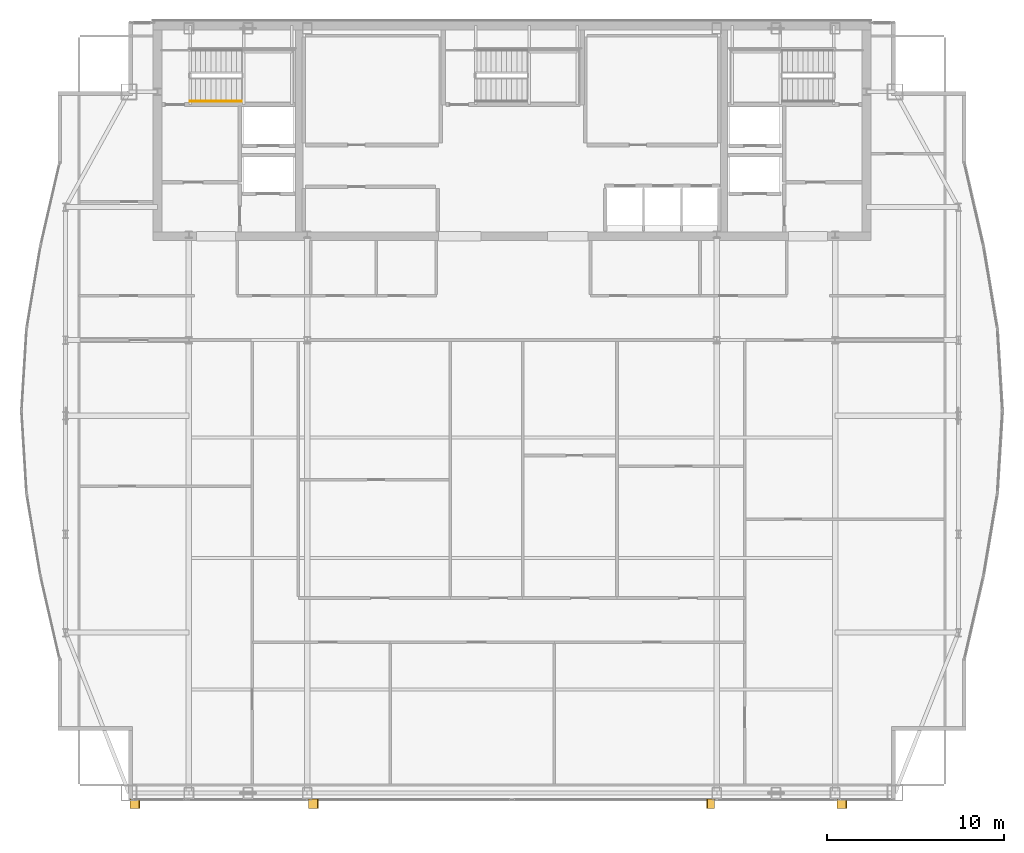
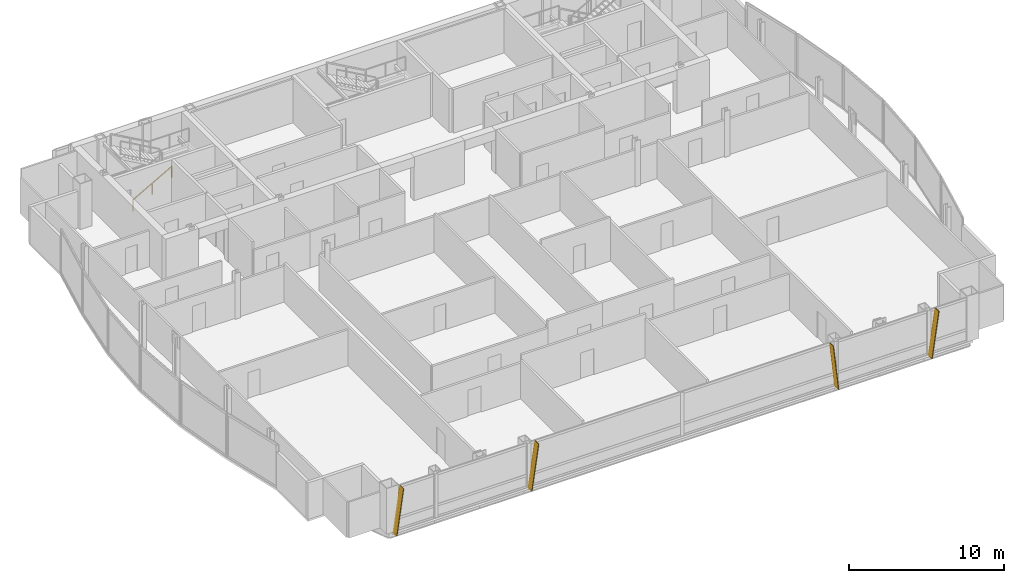
# One storey, part 28 of 29: 4 shading devices, 1 railing.
"""IFC4 building model written with IfcOpenShell, lengths in metres."""

import ifcopenshell
import ifcopenshell.guid

model = None  # the IFC model being written
_history = None  # IfcOwnerHistory: only IFC2X3 demands one
_inside = {}  # id of a spatial element -> (the spatial element, [elements in it])
_under = {}  # id of a project, library or spatial element -> (it, [spatial elements below it])
_declared = {}  # id of a project -> (the project, [libraries it declares])
_typed = {}  # id of a type object -> (the type object, [elements of that type])
_made_of = {}  # id of a material, layer set ... -> (it, [elements and type objects made of it])


def new_model(schema):
    """Start an empty IFC model of exactly this schema.

    Asked for "IFC4X3", IfcOpenShell would pick the latest addendum, in which some entities
    have other attributes; the version numbers below select the first issue.
    IFC2X3 requires an IfcOwnerHistory on every rooted entity: one is made here for all.
    """
    global model, _history
    if schema == "IFC4X3":
        model = ifcopenshell.file(schema_version=(4, 3, 0, 0))
    else:
        model = ifcopenshell.file(schema=schema)
    _inside.clear()
    _under.clear()
    _declared.clear()
    _typed.clear()
    _made_of.clear()
    _history = None
    if model.schema == "IFC2X3":
        org = make("IfcOrganization", Name="unknown")
        user = make(
            "IfcPersonAndOrganization",
            ThePerson=make("IfcPerson", FamilyName="unknown"),
            TheOrganization=org,
        )
        app = make(
            "IfcApplication",
            ApplicationDeveloper=org,
            Version="unknown",
            ApplicationFullName="unknown",
            ApplicationIdentifier="unknown",
        )
        _history = make(
            "IfcOwnerHistory",
            OwningUser=user,
            OwningApplication=app,
            ChangeAction="ADDED",
            CreationDate=0,
        )
    return model


def make(cls, **values):
    """One entity of the class cls with the attributes given. An attribute that is None is left unset."""
    return model.create_entity(
        cls, **{name: value for name, value in values.items() if value is not None}
    )


def rooted(cls, **values):
    """An entity with a GlobalId (a new one), such as an element, a storey or a relation."""
    return make(cls, GlobalId=ifcopenshell.guid.new(), OwnerHistory=_history, **values)


def si_unit(unit_type, name, prefix=None):
    """IfcSIUnit, for example si_unit("LENGTHUNIT", "METRE", prefix="MILLI")."""
    return make("IfcSIUnit", UnitType=unit_type, Prefix=prefix, Name=name)


def assignment(units):
    """IfcUnitAssignment: the units of a project."""
    return None if units is None else make("IfcUnitAssignment", Units=units)


def point(xyz):
    """IfcCartesianPoint."""
    return None if xyz is None else make("IfcCartesianPoint", Coordinates=xyz)


def direction(xyz):
    """IfcDirection."""
    return None if xyz is None else make("IfcDirection", DirectionRatios=xyz)


def frame(location, z_axis=None, x_axis=None):
    """IfcAxis2Placement3D, a coordinate frame: its origin and axes. An axis left out is left unset."""
    return make(
        "IfcAxis2Placement3D",
        Location=point(location),
        Axis=direction(z_axis),
        RefDirection=direction(x_axis),
    )


def frame_2d(location, x_axis=None):
    """IfcAxis2Placement2D, a coordinate frame in the plane: its origin and x axis."""
    return make(
        "IfcAxis2Placement2D", Location=point(location), RefDirection=direction(x_axis)
    )


def origin():
    """The frame at (0, 0, 0) with its axes left unset."""
    return frame((0.0, 0.0, 0.0))


def origin_2d():
    """The frame at (0, 0) in the plane with its x axis left unset."""
    return frame_2d((0.0, 0.0))


def place(relative_to, where):
    """IfcLocalPlacement: puts the frame where relative to a parent placement (None: the world)."""
    return make(
        "IfcLocalPlacement", PlacementRelTo=relative_to, RelativePlacement=where
    )


def context(
    kind, dimensions, precision=None, world=None, true_north=None, identifier=None
):
    """IfcGeometricRepresentationContext, for example the 3D "Model" context."""
    return make(
        "IfcGeometricRepresentationContext",
        ContextIdentifier=identifier,
        ContextType=kind,
        CoordinateSpaceDimension=dimensions,
        Precision=precision,
        WorldCoordinateSystem=world,
        TrueNorth=true_north,
    )


def subcontext(parent, identifier, kind, view, scale=None):
    """IfcGeometricRepresentationSubContext, for example "Body" below "Model"."""
    return make(
        "IfcGeometricRepresentationSubContext",
        ContextIdentifier=identifier,
        ContextType=kind,
        ParentContext=parent,
        TargetScale=scale,
        TargetView=view,
    )


def project(units=None, contexts=None):
    """IfcProject with its units and contexts."""
    return rooted(
        "IfcProject",
        Name="project",
        RepresentationContexts=contexts,
        UnitsInContext=assignment(units),
    )


def spatial(cls, under=None, at=None, **own):
    """A site, building, storey or space (cls), placed at a placement, below another one or the project."""
    s = rooted(cls, ObjectPlacement=at, **own)
    if under is not None:
        _under.setdefault(under.id(), (under, []))[1].append(s)
    return s


def polyline(points):
    """IfcPolyline through the points."""
    return make("IfcPolyline", Points=[point(p) for p in points])


def profile(cls, at=None, kind="AREA", **sizes):
    """A parametric profile (cls). Its sizes go by their IFC names, for example OverallWidth=200.0."""
    return make(cls, ProfileType=kind, Position=at, **sizes)


def rectangle(**sizes):
    """IfcRectangleProfileDef."""
    return profile("IfcRectangleProfileDef", **sizes)


def outline(outer, holes=None, kind="AREA"):
    """IfcArbitraryClosedProfileDef: a profile drawn as a closed curve; with holes, ...WithVoids."""
    if holes is None:
        return make("IfcArbitraryClosedProfileDef", ProfileType=kind, OuterCurve=outer)
    return make(
        "IfcArbitraryProfileDefWithVoids",
        ProfileType=kind,
        OuterCurve=outer,
        InnerCurves=holes,
    )


def extrude(swept, where, along, depth):
    """IfcExtrudedAreaSolid: the profile swept, set in the frame where, extruded along a direction by depth."""
    return make(
        "IfcExtrudedAreaSolid",
        SweptArea=swept,
        Position=where,
        ExtrudedDirection=direction(along),
        Depth=depth,
    )


def shape(context_of_items, identifier, shape_type, items):
    """IfcShapeRepresentation: the items that make up one representation, for example the "Body"."""
    return make(
        "IfcShapeRepresentation",
        ContextOfItems=context_of_items,
        RepresentationIdentifier=identifier,
        RepresentationType=shape_type,
        Items=items,
    )


def material(Name=None, Category=None):
    """IfcMaterial."""
    return make("IfcMaterial", Name=Name, Category=Category)


def layer(
    of_material, thickness, ventilated=None, Name=None, Category=None, Priority=None
):
    """IfcMaterialLayer: one layer of a wall or slab, of a material (None: an air gap)."""
    return make(
        "IfcMaterialLayer",
        Material=of_material,
        LayerThickness=thickness,
        IsVentilated=ventilated,
        Name=Name,
        Category=Category,
        Priority=Priority,
    )


def layer_set(layers, Name=None):
    """IfcMaterialLayerSet."""
    return make("IfcMaterialLayerSet", MaterialLayers=layers, LayerSetName=Name)


def made_of(thing, what):
    """Note that an element or type object is made of a material, layer set ...; save() writes the relation."""
    if what is not None:
        _made_of.setdefault(what.id(), (what, []))[1].append(thing)
    return thing


def type_object(cls, material=None, **own):
    """A type object (cls), such as IfcWallType, which elements share."""
    return made_of(rooted(cls, **own), material)


def element(
    cls,
    number,
    at=None,
    inside=None,
    cuts=None,
    type_object=None,
    material=None,
    context=None,
    identifier="Body",
    shape_type=None,
    held_by="IfcProductDefinitionShape",
    body=None,
    shapes=None,
    **own,
):
    """One element of the class cls, such as IfcWall. Its Tag is "e" and its number.

    at: its placement. inside: the storey or other place that contains it. cuts: it is an
    opening in that element (IfcRelVoidsElement). A single representation is given by context,
    identifier, shape_type and body (its items); several are given by shapes. held_by: the class
    of the entity that holds the representations. save() writes the other relations.
    """
    e = rooted(cls, Tag="e%d" % number, ObjectPlacement=at, **own)
    if body is not None:
        shapes = [shape(context, identifier, shape_type, body)]
    if shapes is not None:
        e.Representation = make(held_by, Representations=shapes)
    if inside is not None:
        _inside.setdefault(inside.id(), (inside, []))[1].append(e)
    if cuts is not None:
        rooted(
            "IfcRelVoidsElement", RelatingBuildingElement=cuts, RelatedOpeningElement=e
        )
    if type_object is not None:
        _typed.setdefault(type_object.id(), (type_object, []))[1].append(e)
    return made_of(e, material)


def aggregate(whole, parts):
    """IfcRelAggregates: a whole, such as a stair, and the parts it consists of."""
    return rooted("IfcRelAggregates", RelatingObject=whole, RelatedObjects=parts)


def save(model, path):
    """Write the relations noted so far, then the file.

    IfcRelAggregates (storeys below a building ...), IfcRelContainedInSpatialStructure (elements
    in a storey), IfcRelDefinesByType, IfcRelAssociatesMaterial and IfcRelDeclares: one each for
    every whole, place, type object, material and project.
    """
    for whole, parts in _under.values():
        aggregate(whole, parts)
    for where, things in _inside.values():
        rooted(
            "IfcRelContainedInSpatialStructure",
            RelatedElements=things,
            RelatingStructure=where,
        )
    for kind, things in _typed.values():
        rooted("IfcRelDefinesByType", RelatedObjects=things, RelatingType=kind)
    for what, things in _made_of.values():
        rooted("IfcRelAssociatesMaterial", RelatedObjects=things, RelatingMaterial=what)
    for by, libraries in _declared.values():
        rooted("IfcRelDeclares", RelatingContext=by, RelatedDefinitions=libraries)
    model.write(path)


model = new_model("IFC4")

# Units and contexts
model_context = context("Model", 3, precision=1e-05, world=origin(), true_north=direction((0.0, 1.0)))
body_context = subcontext(model_context, "Body", "Model", "MODEL_VIEW")
ifc_project = project(units=[si_unit("LENGTHUNIT", "METRE"), si_unit("AREAUNIT", "SQUARE_METRE"), si_unit("VOLUMEUNIT", "CUBIC_METRE"), si_unit("PLANEANGLEUNIT", "RADIAN"), si_unit("MASSUNIT", "GRAM", prefix="KILO")], contexts=[model_context])

# Site, building, storey
site_placement = place(None, origin())
site = spatial("IfcSite", under=ifc_project, at=site_placement, CompositionType="ELEMENT")
building_placement = place(site_placement, origin())
building = spatial("IfcBuilding", under=site, at=building_placement, Name="Khoronbel Lancet Exchange", CompositionType="ELEMENT")
storey_placement = place(building_placement, frame((0.0, 0.0, 321.800048828125)))
storey = spatial("IfcBuildingStorey", under=building, at=storey_placement, Name="L83", CompositionType="ELEMENT", Elevation=321.800048828125)

# Railing
ifc_material_1 = material(Name="Brushed Stainless Steel 316", Category="steel")
railing_type = type_object("IfcRailingType", Name="RL-STH92", PredefinedType="HANDRAIL", material=ifc_material_1)
railing_placement = place(storey_placement, frame((18.300048828125, 49.169921875, 0.16357421875)))
element("IfcRailing", 1, at=railing_placement, inside=storey, type_object=railing_type, Name="L83 ST1 stair handrail 1", PredefinedType="HANDRAIL", context=body_context, shape_type="SweptSolid", body=[
    extrude(rectangle(XDim=0.048095703125, YDim=0.048095703125, at=origin_2d()), frame((0.0, 0.0, 0.8759765625), z_axis=(0.870897200241, 0.0, 0.491465224214), x_axis=(0.0, 1.0, 0.0)), (0.0, 0.0, 1.0), 3.329833984375),
    extrude(rectangle(XDim=0.0419921875, YDim=0.0419921875, at=origin_2d()), origin(), (0.0, 0.0, 1.0), 0.851806640625),
    extrude(rectangle(XDim=0.0419921875, YDim=0.0419921875, at=origin_2d()), frame((1.449951171875, 0.0, 0.818359375)), (0.0, 0.0, 1.0), 0.851806640625),
    extrude(rectangle(XDim=0.0419921875, YDim=0.0419921875, at=origin_2d()), frame((2.89990234375, 0.0, 1.636474609375)), (0.0, 0.0, 1.0), 0.851806640625),
])

# Shading devices
ifc_material_2 = material(Name="Bronze-Anodised Aluminium 6063-T6", Category="aluminium")
ifc_layer = layer(ifc_material_2, 0.054931640625, Name="Bronze-Anodised Aluminium 6063-T6")
ifc_layer_set = layer_set([ifc_layer], Name="Bronze-Anodised Aluminium 6063-T6")
shading_device_type = type_object("IfcShadingDeviceType", Name="SHD-FIN1", PredefinedType="USERDEFINED", material=ifc_layer_set)
for number, where, z_axis, x_axis, name in (
    (2, (14.91259765625, 9.81005859375, -0.080078125), (-0.990092925251, 0.0, 0.140413672296), (0.0, -1.0, 0.0), "Slanted bronze solar fin CW-L83-SWV-0"),
    (3, (24.972412109375, 9.81005859375, -0.080078125), (-0.990083483708, 0.0, 0.140480230955), (0.0, -1.0, 0.0), "Slanted bronze solar fin CW-L83-SCV-0"),
):
    element("IfcShadingDevice", number, at=place(storey_placement, frame(where, z_axis=z_axis, x_axis=x_axis)), inside=storey, type_object=shading_device_type, Name=name, ObjectType="FIN", PredefinedType="USERDEFINED", context=body_context, shape_type="SweptSolid", body=[
        extrude(outline(polyline([(0.0, 0.0), (0.52001953125, 0.0), (0.52001953125, 3.595703125), (0.0, 3.595703125), (0.0, 0.0)])), origin(), (0.0, 0.0, -1.0), 0.054931640625),
    ])
shading_device_1_placement = place(storey_placement, frame((47.87255859375, 9.81005859375, -0.080078125), z_axis=(0.993900347655, 0.0, 0.110281906632), x_axis=(0.0, -1.0, 0.0)))
element("IfcShadingDevice", 4, at=shading_device_1_placement, inside=storey, type_object=shading_device_type, Name="Slanted bronze solar fin CW-L83-SCV-2", ObjectType="FIN", PredefinedType="USERDEFINED", context=body_context, shape_type="SweptSolid", body=[
    extrude(outline(polyline([(0.0, 0.0), (0.52001953125, 0.0), (0.52001953125, -3.581787109375), (0.0, -3.581787109375), (0.0, 0.0)])), origin(), (0.0, 0.0, -1.0), 0.054931640625),
])
shading_device_2_placement = place(storey_placement, frame((54.7724609375, 9.81005859375, -0.080078125), z_axis=(-0.990083483708, 0.0, 0.140480230955), x_axis=(0.0, -1.0, 0.0)))
element("IfcShadingDevice", 5, at=shading_device_2_placement, inside=storey, type_object=shading_device_type, Name="Slanted bronze solar fin CW-L83-SEV-0", ObjectType="FIN", PredefinedType="USERDEFINED", context=body_context, shape_type="SweptSolid", body=[
    extrude(outline(polyline([(0.0, 0.0), (0.52001953125, 0.0), (0.52001953125, 3.595703125), (0.0, 3.595703125), (0.0, 0.0)])), origin(), (0.0, 0.0, -1.0), 0.054931640625),
])

save(model, "model.ifc")
